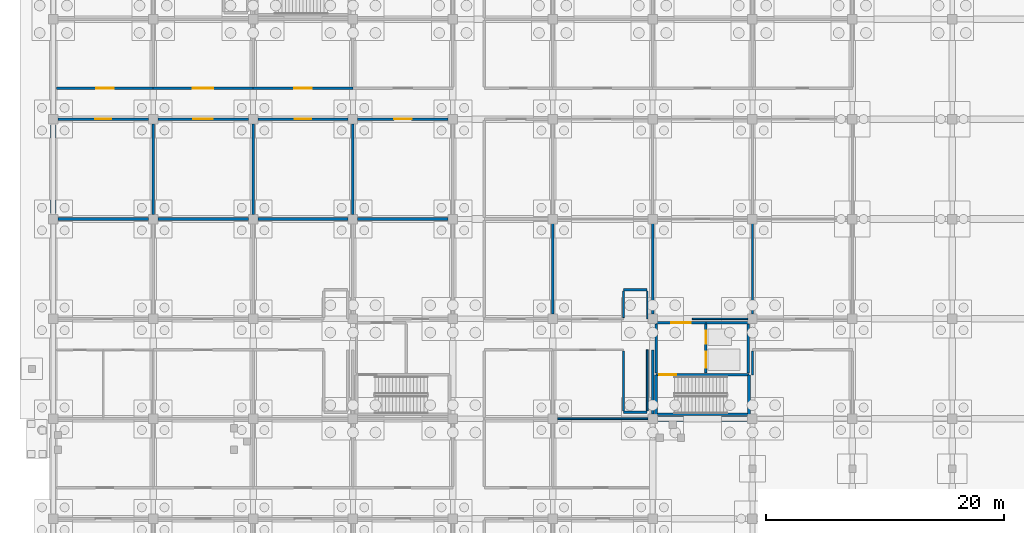
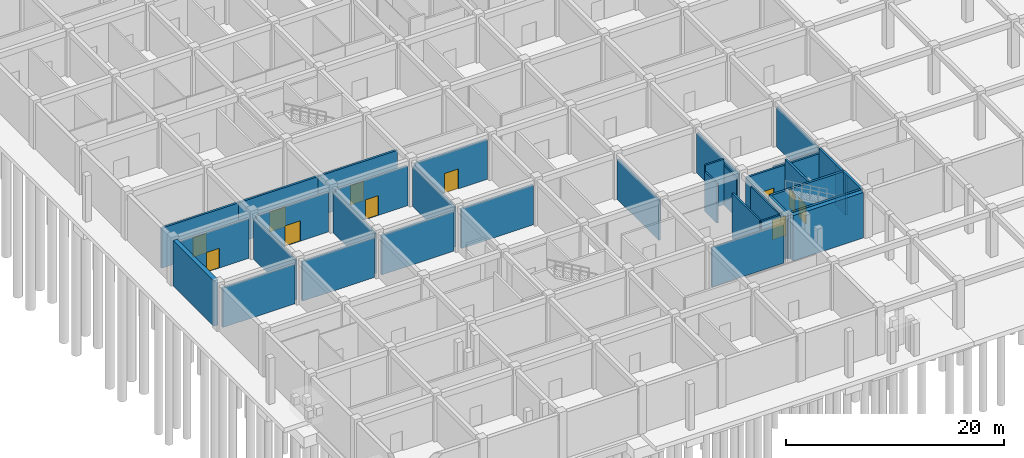
# One storey, part 29 of 65: 38 walls, 11 doors, 11 openings.
"""IFC4 building model written with IfcOpenShell, lengths in metres."""

from ifc_helpers import new_model, si_unit, direction, frame, frame_2d, origin, place, context, subcontext, project, spatial, rectangle, extrude, material, layer, layer_set, type_object, element, fill, save


model = new_model("IFC4")

# Units and contexts
model_context = context("Model", 3, precision=1e-05, world=origin(), true_north=direction((0.0, 1.0)))
body_context = subcontext(model_context, "Body", "Model", "MODEL_VIEW")
ifc_project = project(units=[si_unit("LENGTHUNIT", "METRE"), si_unit("AREAUNIT", "SQUARE_METRE"), si_unit("VOLUMEUNIT", "CUBIC_METRE"), si_unit("PLANEANGLEUNIT", "RADIAN"), si_unit("MASSUNIT", "GRAM", prefix="KILO")], contexts=[model_context])

# Site, building, storey
site_placement = place(None, origin())
site = spatial("IfcSite", under=ifc_project, at=site_placement, CompositionType="ELEMENT")
building_placement = place(site_placement, origin())
building = spatial("IfcBuilding", under=site, at=building_placement, Name="Bramfleet General Hospital", CompositionType="ELEMENT")
storey_placement = place(building_placement, frame((0.0, 0.0, -5.39990234375)))
storey = spatial("IfcBuildingStorey", under=building, at=storey_placement, Name="B1", CompositionType="ELEMENT", Elevation=-5.39990234375)

# Walls
ifc_material_1 = material(Name="Concrete C35/45", Category="concrete")
ifc_layer_1 = layer(ifc_material_1, 0.449951171875, Name="WT-EW-01")
ifc_layer_set_1 = layer_set([ifc_layer_1], Name="Concrete C35/45")
wall_type_1 = type_object("IfcWallType", Name="WT-EW-01", PredefinedType="SOLIDWALL", material=ifc_layer_set_1)
for number, where, z_axis, x_axis, name in (
    (1, (58.324951171875, 16.800048828125, 0.0), (0.0, 0.0, 1.0), (-1.0, 0.0, 0.0), "B1 Waterproof Retaining Wall 81"),
    (2, (0.0, 34.074951171875, 0.0), (0.0, 0.0, 1.0), (0.0, 1.0, 0.0), "B1 Waterproof Retaining Wall 94"),
):
    element("IfcWall", number, at=place(storey_placement, frame(where, z_axis=z_axis, x_axis=x_axis)), inside=storey, type_object=wall_type_1, Name=name, PredefinedType="SOLIDWALL", context=body_context, shape_type="SweptSolid", body=[
        extrude(rectangle(XDim=7.449951171875, YDim=0.449951171875, at=frame_2d((3.72509765625, 0.0))), origin(), (0.0, 0.0, 1.0), 5.079833984375),
    ])
ifc_layer_2 = layer(ifc_material_1, 0.219970703125, Name="WT-IW-01")
ifc_layer_set_2 = layer_set([ifc_layer_2], Name="Concrete C35/45")
wall_type_2 = type_object("IfcWallType", Name="WT-IW-01", PredefinedType="PARTITIONING", material=ifc_layer_set_2)
wall_1_placement = place(storey_placement, frame((0.39501953125, 33.60009765625, 0.0), z_axis=(0.0, 0.0, 1.0), x_axis=(1.0, 0.0, 0.0)))
element("IfcWall", 3, at=wall_1_placement, inside=storey, type_object=wall_type_2, Name="B1 Interior Partition IW-B1-0113", PredefinedType="PARTITIONING", context=body_context, shape_type="SweptSolid", body=[
    extrude(rectangle(XDim=7.60986328125, YDim=0.219970703125, at=frame_2d((3.804931640625, 0.0))), origin(), (0.0, 0.0, 1.0), 4.419921875),
])
wall_2_placement = place(storey_placement, frame((8.794921875, 33.60009765625, 0.0), z_axis=(0.0, 0.0, 1.0), x_axis=(1.0, 0.0, 0.0)))
element("IfcWall", 4, at=wall_2_placement, inside=storey, type_object=wall_type_2, Name="B1 Interior Partition IW-B1-0114", PredefinedType="PARTITIONING", context=body_context, shape_type="SweptSolid", body=[
    extrude(rectangle(XDim=7.610107421875, YDim=0.219970703125, at=frame_2d((3.80517578125, 0.0))), origin(), (0.0, 0.0, 1.0), 4.419921875),
])
wall_3_placement = place(storey_placement, frame((17.195068359375, 33.60009765625, 0.0), z_axis=(0.0, 0.0, 1.0), x_axis=(1.0, 0.0, 0.0)))
element("IfcWall", 5, at=wall_3_placement, inside=storey, type_object=wall_type_2, Name="B1 Interior Partition IW-B1-0115", PredefinedType="PARTITIONING", context=body_context, shape_type="SweptSolid", body=[
    extrude(rectangle(XDim=7.60986328125, YDim=0.219970703125, at=frame_2d((3.804931640625, 0.0))), origin(), (0.0, 0.0, 1.0), 4.419921875),
])
wall_4_placement = place(storey_placement, frame((25.594970703125, 33.60009765625, 0.0), z_axis=(0.0, 0.0, 1.0), x_axis=(1.0, 0.0, 0.0)))
element("IfcWall", 6, at=wall_4_placement, inside=storey, type_object=wall_type_2, Name="B1 Interior Partition IW-B1-0116", PredefinedType="PARTITIONING", context=body_context, shape_type="SweptSolid", body=[
    extrude(rectangle(XDim=7.610107421875, YDim=0.219970703125, at=frame_2d((3.80517578125, 0.0))), origin(), (0.0, 0.0, 1.0), 4.419921875),
])

# Wall, opening, door
wall_5_placement = place(storey_placement, frame((0.39501953125, 42.0, 0.0), z_axis=(0.0, 0.0, 1.0), x_axis=(1.0, 0.0, 0.0)))
wall_5 = element("IfcWall", 7, at=wall_5_placement, inside=storey, type_object=wall_type_2, Name="B1 Interior Partition IW-B1-0123", PredefinedType="PARTITIONING", context=body_context, shape_type="SweptSolid", body=[
    extrude(rectangle(XDim=7.60986328125, YDim=0.219970703125, at=frame_2d((3.804931640625, 0.0))), origin(), (0.0, 0.0, 1.0), 4.419921875),
])
opening_1_placement = place(wall_5_placement, frame((3.1298828125, 0.0, 0.0)))
opening_1 = element("IfcOpeningElement", 8, at=opening_1_placement, cuts=wall_5, Name="Opening D0194", PredefinedType="OPENING", context=body_context, shape_type="SweptSolid", body=[
    extrude(rectangle(XDim=1.35009765625, YDim=2.199951171875, at=frame_2d((0.675048828125, 1.10009765625))), frame((0.0, 0.119873046875, 0.0), z_axis=(0.0, -1.0, 0.0), x_axis=(1.0, 0.0, 0.0)), (0.0, 0.0, 1.0), 0.239990234375),
])
ifc_material_2 = material(Name="Stainless steel and acoustic timber leaf", Category="steel")
door_type_1 = type_object("IfcDoorType", Name="DR-D-02", OperationType="NOTDEFINED", PredefinedType="DOOR", material=ifc_material_2)
door_1_placement = place(opening_1_placement, origin())
door_1 = element("IfcDoor", 9, at=door_1_placement, inside=storey, type_object=door_type_1, Name="Standby Power Plant and Switchgear B1-0004 Door D0194", OperationType="SINGLE_SWING_LEFT", OverallHeight=2.199951171875, OverallWidth=1.35009765625, PredefinedType="DOOR", context=body_context, shape_type="SweptSolid", body=[
    extrude(rectangle(XDim=1.35009765625, YDim=2.199951171875, at=frame_2d((0.675048828125, 1.10009765625))), frame((0.0, 0.02490234375, 0.0), z_axis=(0.0, -1.0, 0.0), x_axis=(1.0, 0.0, 0.0)), (0.0, 0.0, 1.0), 0.050048828125),
])
fill(opening_1, door_1)

wall_6_placement = place(storey_placement, frame((8.794921875, 42.0, 0.0), z_axis=(0.0, 0.0, 1.0), x_axis=(1.0, 0.0, 0.0)))
wall_6 = element("IfcWall", 10, at=wall_6_placement, inside=storey, type_object=wall_type_2, Name="B1 Interior Partition IW-B1-0124", PredefinedType="PARTITIONING", context=body_context, shape_type="SweptSolid", body=[
    extrude(rectangle(XDim=7.610107421875, YDim=0.219970703125, at=frame_2d((3.80517578125, 0.0))), origin(), (0.0, 0.0, 1.0), 4.419921875),
])
opening_2_placement = place(wall_6_placement, frame((2.985107421875, 0.0, 0.0)))
opening_2 = element("IfcOpeningElement", 11, at=opening_2_placement, cuts=wall_6, Name="Opening D0210", PredefinedType="OPENING", context=body_context, shape_type="SweptSolid", body=[
    extrude(rectangle(XDim=1.639892578125, YDim=2.280029296875, at=frame_2d((0.81982421875, 1.14013671875))), frame((0.0, 0.119873046875, 0.0), z_axis=(0.0, -1.0, 0.0), x_axis=(1.0, 0.0, 0.0)), (0.0, 0.0, 1.0), 0.239990234375),
])
door_type_2 = type_object("IfcDoorType", Name="DR-D-18", OperationType="NOTDEFINED", PredefinedType="DOOR", material=ifc_material_2)
door_2_placement = place(opening_2_placement, origin())
door_2 = element("IfcDoor", 12, at=door_2_placement, inside=storey, type_object=door_type_2, Name="Standby Power Plant and Switchgear B1-0104 Door D0210", OperationType="DOUBLE_SWING_LEFT", OverallHeight=2.280029296875, OverallWidth=1.639892578125, PredefinedType="DOOR", context=body_context, shape_type="SweptSolid", body=[
    extrude(rectangle(XDim=1.639892578125, YDim=2.280029296875, at=frame_2d((0.81982421875, 1.14013671875))), frame((0.0, 0.02490234375, 0.0), z_axis=(0.0, -1.0, 0.0), x_axis=(1.0, 0.0, 0.0)), (0.0, 0.0, 1.0), 0.050048828125),
])
fill(opening_2, door_2)

wall_7_placement = place(storey_placement, frame((17.195068359375, 42.0, 0.0), z_axis=(0.0, 0.0, 1.0), x_axis=(1.0, 0.0, 0.0)))
wall_7 = element("IfcWall", 13, at=wall_7_placement, inside=storey, type_object=wall_type_2, Name="B1 Interior Partition IW-B1-0125", PredefinedType="PARTITIONING", context=body_context, shape_type="SweptSolid", body=[
    extrude(rectangle(XDim=7.60986328125, YDim=0.219970703125, at=frame_2d((3.804931640625, 0.0))), origin(), (0.0, 0.0, 1.0), 4.419921875),
])
opening_3_placement = place(wall_7_placement, frame((3.1298828125, 0.0, 0.0)))
opening_3 = element("IfcOpeningElement", 14, at=opening_3_placement, cuts=wall_7, Name="Opening D0226", PredefinedType="OPENING", context=body_context, shape_type="SweptSolid", body=[
    extrude(rectangle(XDim=1.35009765625, YDim=2.199951171875, at=frame_2d((0.675048828125, 1.10009765625))), frame((0.0, 0.119873046875, 0.0), z_axis=(0.0, -1.0, 0.0), x_axis=(1.0, 0.0, 0.0)), (0.0, 0.0, 1.0), 0.239990234375),
])
door_3_placement = place(opening_3_placement, origin())
door_3 = element("IfcDoor", 15, at=door_3_placement, inside=storey, type_object=door_type_1, Name="Standby Power Plant and Switchgear B1-0204 Door D0226", OperationType="SINGLE_SWING_LEFT", OverallHeight=2.199951171875, OverallWidth=1.35009765625, PredefinedType="DOOR", context=body_context, shape_type="SweptSolid", body=[
    extrude(rectangle(XDim=1.35009765625, YDim=2.199951171875, at=frame_2d((0.675048828125, 1.10009765625))), frame((0.0, 0.02490234375, 0.0), z_axis=(0.0, -1.0, 0.0), x_axis=(1.0, 0.0, 0.0)), (0.0, 0.0, 1.0), 0.050048828125),
])
fill(opening_3, door_3)

wall_8_placement = place(storey_placement, frame((25.594970703125, 42.0, 0.0), z_axis=(0.0, 0.0, 1.0), x_axis=(1.0, 0.0, 0.0)))
wall_8 = element("IfcWall", 16, at=wall_8_placement, inside=storey, type_object=wall_type_2, Name="B1 Interior Partition IW-B1-0126", PredefinedType="PARTITIONING", context=body_context, shape_type="SweptSolid", body=[
    extrude(rectangle(XDim=7.610107421875, YDim=0.219970703125, at=frame_2d((3.80517578125, 0.0))), origin(), (0.0, 0.0, 1.0), 4.419921875),
])
opening_4_placement = place(wall_8_placement, frame((3.06494140625, 0.0, 0.0)))
opening_4 = element("IfcOpeningElement", 17, at=opening_4_placement, cuts=wall_8, Name="Opening D0240", PredefinedType="OPENING", context=body_context, shape_type="SweptSolid", body=[
    extrude(rectangle(XDim=1.47998046875, YDim=2.219970703125, at=frame_2d((0.739990234375, 1.10986328125))), frame((0.0, 0.119873046875, 0.0), z_axis=(0.0, -1.0, 0.0), x_axis=(1.0, 0.0, 0.0)), (0.0, 0.0, 1.0), 0.239990234375),
])
door_type_3 = type_object("IfcDoorType", Name="DR-D-16", OperationType="NOTDEFINED", PredefinedType="DOOR", material=ifc_material_2)
door_4_placement = place(opening_4_placement, origin())
door_4 = element("IfcDoor", 18, at=door_4_placement, inside=storey, type_object=door_type_3, Name="Standby Power Plant and Switchgear B1-0304 Door D0240", OperationType="SINGLE_SWING_LEFT", OverallHeight=2.219970703125, OverallWidth=1.47998046875, PredefinedType="DOOR", context=body_context, shape_type="SweptSolid", body=[
    extrude(rectangle(XDim=1.47998046875, YDim=2.219970703125, at=frame_2d((0.739990234375, 1.10986328125))), frame((0.0, 0.02490234375, 0.0), z_axis=(0.0, -1.0, 0.0), x_axis=(1.0, 0.0, 0.0)), (0.0, 0.0, 1.0), 0.050048828125),
])
fill(opening_4, door_4)

wall_9_placement = place(storey_placement, frame((0.280029296875, 44.60009765625, 0.0), z_axis=(0.0, 0.0, 1.0), x_axis=(1.0, 0.0, 0.0)))
wall_9 = element("IfcWall", 19, at=wall_9_placement, inside=storey, type_object=wall_type_2, Name="B1 Interior Partition IW-B1-0133", PredefinedType="PARTITIONING", context=body_context, shape_type="SweptSolid", body=[
    extrude(rectangle(XDim=8.119873046875, YDim=0.219970703125, at=frame_2d((4.06005859375, 0.0))), origin(), (0.0, 0.0, 1.0), 4.469970703125),
])
opening_5_placement = place(wall_9_placement, frame((3.3349609375, 0.0, 0.0)))
opening_5 = element("IfcOpeningElement", 20, at=opening_5_placement, cuts=wall_9, Name="Opening D0195", PredefinedType="OPENING", context=body_context, shape_type="SweptSolid", body=[
    extrude(rectangle(XDim=1.449951171875, YDim=2.199951171875, at=frame_2d((0.72509765625, 1.10009765625))), frame((0.0, 0.119873046875, 0.0), z_axis=(0.0, -1.0, 0.0), x_axis=(1.0, 0.0, 0.0)), (0.0, 0.0, 1.0), 0.239990234375),
])
door_type_4 = type_object("IfcDoorType", Name="DR-D-03", OperationType="NOTDEFINED", PredefinedType="DOOR", material=ifc_material_2)
door_5_placement = place(opening_5_placement, origin())
door_5 = element("IfcDoor", 21, at=door_5_placement, inside=storey, type_object=door_type_4, Name="Central Sterile Supply Room B1-0005 Door D0195", OperationType="SINGLE_SWING_RIGHT", OverallHeight=2.199951171875, OverallWidth=1.449951171875, PredefinedType="DOOR", context=body_context, shape_type="SweptSolid", body=[
    extrude(rectangle(XDim=1.449951171875, YDim=2.199951171875, at=frame_2d((0.72509765625, 1.10009765625))), frame((0.0, 0.02490234375, 0.0), z_axis=(0.0, -1.0, 0.0), x_axis=(1.0, 0.0, 0.0)), (0.0, 0.0, 1.0), 0.050048828125),
])
fill(opening_5, door_5)

wall_10_placement = place(storey_placement, frame((8.39990234375, 44.60009765625, 0.0), z_axis=(0.0, 0.0, 1.0), x_axis=(1.0, 0.0, 0.0)))
wall_10 = element("IfcWall", 22, at=wall_10_placement, inside=storey, type_object=wall_type_2, Name="B1 Interior Partition IW-B1-0134", PredefinedType="PARTITIONING", context=body_context, shape_type="SweptSolid", body=[
    extrude(rectangle(XDim=8.400146484375, YDim=0.219970703125, at=frame_2d((4.2001953125, 0.0))), origin(), (0.0, 0.0, 1.0), 4.469970703125),
])
opening_6_placement = place(wall_10_placement, frame((3.330078125, 0.0, 0.0)))
opening_6 = element("IfcOpeningElement", 23, at=opening_6_placement, cuts=wall_10, Name="Opening D0211", PredefinedType="OPENING", context=body_context, shape_type="SweptSolid", body=[
    extrude(rectangle(XDim=1.739990234375, YDim=2.239990234375, at=frame_2d((0.8701171875, 1.1201171875))), frame((0.0, 0.119873046875, 0.0), z_axis=(0.0, -1.0, 0.0), x_axis=(1.0, 0.0, 0.0)), (0.0, 0.0, 1.0), 0.239990234375),
])
door_type_5 = type_object("IfcDoorType", Name="DR-D-19", OperationType="NOTDEFINED", PredefinedType="DOOR", material=ifc_material_2)
door_6_placement = place(opening_6_placement, origin())
door_6 = element("IfcDoor", 24, at=door_6_placement, inside=storey, type_object=door_type_5, Name="Central Sterile Supply Room B1-0105 Door D0211", OperationType="DOUBLE_SWING_RIGHT", OverallHeight=2.239990234375, OverallWidth=1.739990234375, PredefinedType="DOOR", context=body_context, shape_type="SweptSolid", body=[
    extrude(rectangle(XDim=1.739990234375, YDim=2.239990234375, at=frame_2d((0.8701171875, 1.1201171875))), frame((0.0, 0.02490234375, 0.0), z_axis=(0.0, -1.0, 0.0), x_axis=(1.0, 0.0, 0.0)), (0.0, 0.0, 1.0), 0.050048828125),
])
fill(opening_6, door_6)

wall_11_placement = place(storey_placement, frame((16.800048828125, 44.60009765625, 0.0), z_axis=(0.0, 0.0, 1.0), x_axis=(1.0, 0.0, 0.0)))
wall_11 = element("IfcWall", 25, at=wall_11_placement, inside=storey, type_object=wall_type_2, Name="B1 Interior Partition IW-B1-0135", PredefinedType="PARTITIONING", context=body_context, shape_type="SweptSolid", body=[
    extrude(rectangle(XDim=8.39990234375, YDim=0.219970703125, at=frame_2d((4.199951171875, 0.0))), origin(), (0.0, 0.0, 1.0), 4.469970703125),
])
opening_7_placement = place(wall_11_placement, frame((3.47509765625, 0.0, 0.0)))
opening_7 = element("IfcOpeningElement", 26, at=opening_7_placement, cuts=wall_11, Name="Opening D0227", PredefinedType="OPENING", context=body_context, shape_type="SweptSolid", body=[
    extrude(rectangle(XDim=1.449951171875, YDim=2.199951171875, at=frame_2d((0.72509765625, 1.10009765625))), frame((0.0, 0.119873046875, 0.0), z_axis=(0.0, -1.0, 0.0), x_axis=(1.0, 0.0, 0.0)), (0.0, 0.0, 1.0), 0.239990234375),
])
door_7_placement = place(opening_7_placement, origin())
door_7 = element("IfcDoor", 27, at=door_7_placement, inside=storey, type_object=door_type_4, Name="Central Sterile Supply Room B1-0205 Door D0227", OperationType="SINGLE_SWING_RIGHT", OverallHeight=2.199951171875, OverallWidth=1.449951171875, PredefinedType="DOOR", context=body_context, shape_type="SweptSolid", body=[
    extrude(rectangle(XDim=1.449951171875, YDim=2.199951171875, at=frame_2d((0.72509765625, 1.10009765625))), frame((0.0, 0.02490234375, 0.0), z_axis=(0.0, -1.0, 0.0), x_axis=(1.0, 0.0, 0.0)), (0.0, 0.0, 1.0), 0.050048828125),
])
fill(opening_7, door_7)

# Walls
for number, where, z_axis, x_axis, name in (
    (28, (8.39990234375, 33.9951171875, 0.0), (0.0, 0.0, 1.0), (0.0, 1.0, 0.0), "B1 Interior Partition IW-B1-0333"),
    (29, (16.800048828125, 33.9951171875, 0.0), (0.0, 0.0, 1.0), (0.0, 1.0, 0.0), "B1 Interior Partition IW-B1-0351"),
    (30, (25.199951171875, 33.9951171875, 0.0), (0.0, 0.0, 1.0), (0.0, 1.0, 0.0), "B1 Interior Partition IW-B1-0371"),
):
    element("IfcWall", number, at=place(storey_placement, frame(where, z_axis=z_axis, x_axis=x_axis)), inside=storey, type_object=wall_type_2, Name=name, PredefinedType="PARTITIONING", context=body_context, shape_type="SweptSolid", body=[
        extrude(rectangle(XDim=7.60986328125, YDim=0.219970703125, at=frame_2d((3.804931640625, 0.0))), origin(), (0.0, 0.0, 1.0), 4.469970703125),
    ])
wall_12_placement = place(storey_placement, frame((42.0, 25.594970703125, 0.0), z_axis=(0.0, 0.0, 1.0), x_axis=(0.0, 1.0, 0.0)))
element("IfcWall", 31, at=wall_12_placement, inside=storey, type_object=wall_type_2, Name="B1 Interior Partition IW-B1-0418", PredefinedType="PARTITIONING", context=body_context, shape_type="SweptSolid", body=[
    extrude(rectangle(XDim=7.610107421875, YDim=0.219970703125, at=frame_2d((3.80517578125, 0.0))), origin(), (0.0, 0.0, 1.0), 4.469970703125),
])
wall_13_placement = place(storey_placement, frame((50.39990234375, 17.195068359375, 0.0), z_axis=(0.0, 0.0, 1.0), x_axis=(0.0, 1.0, 0.0)))
element("IfcWall", 32, at=wall_13_placement, inside=storey, type_object=wall_type_2, Name="B1 Interior Partition IW-B1-0445", PredefinedType="PARTITIONING", context=body_context, shape_type="SweptSolid", body=[
    extrude(rectangle(XDim=5.405029296875, YDim=0.219970703125, at=frame_2d((2.70263671875, 0.0))), origin(), (0.0, 0.0, 1.0), 4.469970703125),
])

# Wall, openings, doors
ifc_layer_3 = layer(ifc_material_1, 0.205078125, Name="WT-IW-02")
ifc_layer_set_3 = layer_set([ifc_layer_3], Name="Concrete C35/45")
wall_type_3 = type_object("IfcWallType", Name="WT-IW-02", PredefinedType="PARTITIONING", material=ifc_layer_set_3)
wall_14_placement = place(storey_placement, frame((54.8798828125, 20.639892578125, 0.0), z_axis=(0.0, 0.0, 1.0), x_axis=(0.0, 1.0, 0.0)))
wall_14 = element("IfcWall", 33, at=wall_14_placement, inside=storey, type_object=wall_type_3, Name="B1 C1 Lobby East Shaft Wall", PredefinedType="PARTITIONING", context=body_context, shape_type="SweptSolid", body=[
    extrude(rectangle(XDim=4.1201171875, YDim=0.205078125, at=frame_2d((2.06005859375, 0.0))), origin(), (0.0, 0.0, 1.0), 5.06982421875),
])
opening_8_placement = place(wall_14_placement, frame((0.445068359375, 0.0, 0.0)))
opening_8 = element("IfcOpeningElement", 34, at=opening_8_placement, cuts=wall_14, Name="Opening LD-BL-02-B1", PredefinedType="OPENING", context=body_context, shape_type="SweptSolid", body=[
    extrude(rectangle(XDim=1.35009765625, YDim=2.199951171875, at=frame_2d((0.675048828125, 1.10009765625))), frame((0.0, 0.112548828125, 0.0), z_axis=(0.0, -1.0, 0.0), x_axis=(1.0, 0.0, 0.0)), (0.0, 0.0, 1.0), 0.22509765625),
])
opening_9_placement = place(wall_14_placement, frame((2.449951171875, 0.0, 0.0)))
opening_9 = element("IfcOpeningElement", 35, at=opening_9_placement, cuts=wall_14, Name="Opening LD-PL-01-B1", PredefinedType="OPENING", context=body_context, shape_type="SweptSolid", body=[
    extrude(rectangle(XDim=1.10009765625, YDim=2.14990234375, at=frame_2d((0.550048828125, 1.074951171875))), frame((0.0, 0.112548828125, 0.0), z_axis=(0.0, -1.0, 0.0), x_axis=(1.0, 0.0, 0.0)), (0.0, 0.0, 1.0), 0.22509765625),
])
ifc_material_3 = material(Name="Brushed stainless steel 1.4301", Category="steel")
door_type_6 = type_object("IfcDoorType", Name="DR-LD-01", OperationType="NOTDEFINED", PredefinedType="DOOR", material=ifc_material_3)
door_8_placement = place(opening_8_placement, origin())
door_8 = element("IfcDoor", 36, at=door_8_placement, inside=storey, type_object=door_type_6, Name="B1 Lift BL-02 Sliding Landing Door", OperationType="SLIDING_TO_LEFT", OverallHeight=2.199951171875, OverallWidth=1.35009765625, PredefinedType="DOOR", context=body_context, shape_type="SweptSolid", body=[
    extrude(rectangle(XDim=1.35009765625, YDim=2.199951171875, at=frame_2d((0.675048828125, 1.10009765625))), frame((0.0, 0.02490234375, 0.0), z_axis=(0.0, -1.0, 0.0), x_axis=(1.0, 0.0, 0.0)), (0.0, 0.0, 1.0), 0.050048828125),
])
fill(opening_8, door_8)
door_type_7 = type_object("IfcDoorType", Name="DR-LD-02", OperationType="NOTDEFINED", PredefinedType="DOOR", material=ifc_material_3)
door_9_placement = place(opening_9_placement, origin())
door_9 = element("IfcDoor", 37, at=door_9_placement, inside=storey, type_object=door_type_7, Name="B1 Lift PL-01 Sliding Landing Door", OperationType="SLIDING_TO_LEFT", OverallHeight=2.14990234375, OverallWidth=1.10009765625, PredefinedType="DOOR", context=body_context, shape_type="SweptSolid", body=[
    extrude(rectangle(XDim=1.10009765625, YDim=2.14990234375, at=frame_2d((0.550048828125, 1.074951171875))), frame((0.0, 0.02490234375, 0.0), z_axis=(0.0, -1.0, 0.0), x_axis=(1.0, 0.0, 0.0)), (0.0, 0.0, 1.0), 0.050048828125),
])
fill(opening_9, door_9)

# Walls
wall_15_placement = place(storey_placement, frame((58.449951171875, 20.639892578125, 0.0), z_axis=(0.0, 0.0, 1.0), x_axis=(0.0, 1.0, 0.0)))
element("IfcWall", 38, at=wall_15_placement, inside=storey, type_object=wall_type_3, Name="B1 C1 Lift Shaft East Wall", PredefinedType="PARTITIONING", context=body_context, shape_type="SweptSolid", body=[
    extrude(rectangle(XDim=4.1201171875, YDim=0.205078125, at=frame_2d((2.06005859375, 0.0))), origin(), (0.0, 0.0, 1.0), 5.06982421875),
])
wall_16_placement = place(storey_placement, frame((54.8798828125, 24.8798828125, 0.0), z_axis=(0.0, 0.0, 1.0), x_axis=(1.0, 0.0, 0.0)))
element("IfcWall", 39, at=wall_16_placement, inside=storey, type_object=wall_type_3, Name="B1 C1 Lift Shaft North Wall", PredefinedType="PARTITIONING", context=body_context, shape_type="SweptSolid", body=[
    extrude(rectangle(XDim=3.570068359375, YDim=0.205078125, at=frame_2d((1.78515625, 0.0))), origin(), (0.0, 0.0, 1.0), 4.419921875),
])
wall_17_placement = place(storey_placement, frame((50.699951171875, 20.639892578125, 0.0), z_axis=(0.0, 0.0, 1.0), x_axis=(0.0, 1.0, 0.0)))
element("IfcWall", 40, at=wall_17_placement, inside=storey, type_object=wall_type_3, Name="B1 C1 Lobby West Compartment Wall", PredefinedType="PARTITIONING", context=body_context, shape_type="SweptSolid", body=[
    extrude(rectangle(XDim=4.1201171875, YDim=0.205078125, at=frame_2d((2.06005859375, 0.0))), origin(), (0.0, 0.0, 1.0), 4.469970703125),
])

# Wall, opening, door
wall_18_placement = place(storey_placement, frame((50.699951171875, 24.8798828125, 0.0), z_axis=(0.0, 0.0, 1.0), x_axis=(1.0, 0.0, 0.0)))
wall_18 = element("IfcWall", 41, at=wall_18_placement, inside=storey, type_object=wall_type_3, Name="B1 C1 Lobby North Compartment Wall", PredefinedType="PARTITIONING", context=body_context, shape_type="SweptSolid", body=[
    extrude(rectangle(XDim=4.179931640625, YDim=0.205078125, at=frame_2d((2.08984375, 0.0))), origin(), (0.0, 0.0, 1.0), 4.419921875),
])
opening_10_placement = place(wall_18_placement, frame((1.2900390625, 0.0, 0.0)))
opening_10 = element("IfcOpeningElement", 42, at=opening_10_placement, cuts=wall_18, Name="Opening D0002", PredefinedType="OPENING", context=body_context, shape_type="SweptSolid", body=[
    extrude(rectangle(XDim=1.60009765625, YDim=2.25, at=frame_2d((0.800048828125, 1.125))), frame((0.0, 0.112548828125, 0.0), z_axis=(0.0, -1.0, 0.0), x_axis=(1.0, 0.0, 0.0)), (0.0, 0.0, 1.0), 0.22509765625),
])
door_type_8 = type_object("IfcDoorType", Name="DR-D-04", OperationType="NOTDEFINED", PredefinedType="DOOR", material=ifc_material_2)
door_10_placement = place(opening_10_placement, origin())
door_10 = element("IfcDoor", 43, at=door_10_placement, inside=storey, type_object=door_type_8, Name="B1 C1 Lobby Fire Door D0002", OperationType="DOUBLE_SWING_LEFT", OverallHeight=2.25, OverallWidth=1.60009765625, PredefinedType="DOOR", context=body_context, shape_type="SweptSolid", body=[
    extrude(rectangle(XDim=1.60009765625, YDim=2.25, at=frame_2d((0.800048828125, 1.125))), frame((0.0, 0.02490234375, 0.0), z_axis=(0.0, -1.0, 0.0), x_axis=(1.0, 0.0, 0.0)), (0.0, 0.0, 1.0), 0.050048828125),
])
fill(opening_10, door_10)

# Walls
wall_19_placement = place(storey_placement, frame((50.39990234375, 25.594970703125, 0.0), z_axis=(0.0, 0.0, 1.0), x_axis=(0.0, 1.0, 0.0)))
element("IfcWall", 44, at=wall_19_placement, inside=storey, type_object=wall_type_3, Name="B1 Interior Partition IW-B1-0446", PredefinedType="PARTITIONING", context=body_context, shape_type="SweptSolid", body=[
    extrude(rectangle(XDim=7.610107421875, YDim=0.205078125, at=frame_2d((3.80517578125, 0.0))), origin(), (0.0, 0.0, 1.0), 4.469970703125),
])
ifc_layer_4 = layer(ifc_material_1, 0.18994140625, Name="WT-IW-03")
ifc_layer_set_4 = layer_set([ifc_layer_4], Name="Concrete C35/45")
wall_type_4 = type_object("IfcWallType", Name="WT-IW-03", PredefinedType="PARTITIONING", material=ifc_layer_set_4)
wall_20_placement = place(storey_placement, frame((47.949951171875, 17.35009765625, 0.0), z_axis=(0.0, 0.0, 1.0), x_axis=(1.0, 0.0, 0.0)))
element("IfcWall", 45, at=wall_20_placement, inside=storey, type_object=wall_type_4, Name="B1 Interior Partition IW-B1-0075", PredefinedType="PARTITIONING", context=body_context, shape_type="SweptSolid", body=[
    extrude(rectangle(XDim=2.0, YDim=0.18994140625, at=frame_2d((1.0, 0.0))), origin(), (0.0, 0.0, 1.0), 5.06982421875),
])
ifc_layer_5 = layer(ifc_material_1, 0.179931640625, Name="WT-IW-04")
ifc_layer_set_5 = layer_set([ifc_layer_5], Name="Concrete C35/45")
wall_type_5 = type_object("IfcWallType", Name="WT-IW-04", PredefinedType="PARTITIONING", material=ifc_layer_set_5)
wall_21_placement = place(storey_placement, frame((47.949951171875, 27.64990234375, 0.0), z_axis=(0.0, 0.0, 1.0), x_axis=(1.0, 0.0, 0.0)))
element("IfcWall", 46, at=wall_21_placement, inside=storey, type_object=wall_type_5, Name="B1 Interior Partition IW-B1-0112", PredefinedType="PARTITIONING", context=body_context, shape_type="SweptSolid", body=[
    extrude(rectangle(XDim=2.0, YDim=0.179931640625, at=frame_2d((1.0, 0.0))), origin(), (0.0, 0.0, 1.0), 5.06982421875),
])
ifc_material_4 = material(Name="Gypsum plasterboard on acoustic steel studs", Category="steel")
ifc_layer_6 = layer(ifc_material_4, 0.169921875, Name="WT-IW-05")
ifc_layer_set_6 = layer_set([ifc_layer_6], Name="Gypsum plasterboard on acoustic steel studs")
wall_type_6 = type_object("IfcWallType", Name="WT-IW-05", PredefinedType="PARTITIONING", material=ifc_layer_set_6)
wall_22_placement = place(storey_placement, frame((47.949951171875, 17.465087890625, 0.0), z_axis=(0.0, 0.0, 1.0), x_axis=(0.0, 1.0, 0.0)))
element("IfcWall", 47, at=wall_22_placement, inside=storey, type_object=wall_type_6, Name="B1 Interior Partition IW-B1-0437", PredefinedType="PARTITIONING", context=body_context, shape_type="SweptSolid", body=[
    extrude(rectangle(XDim=5.02001953125, YDim=0.169921875, at=frame_2d((2.510009765625, 0.0))), origin(), (0.0, 0.0, 1.0), 5.06982421875),
])
wall_23_placement = place(storey_placement, frame((58.800048828125, 20.5, 0.0), z_axis=(0.0, 0.0, 1.0), x_axis=(0.0, 1.0, 0.0)))
element("IfcWall", 48, at=wall_23_placement, inside=storey, type_object=wall_type_6, Name="B1 Interior Partition IW-B1-0461", PredefinedType="PARTITIONING", context=body_context, shape_type="SweptSolid", body=[
    extrude(rectangle(XDim=1.985107421875, YDim=0.169921875, at=frame_2d((0.99267578125, 0.0))), origin(), (0.0, 0.0, 1.0), 4.469970703125),
])
ifc_layer_7 = layer(ifc_material_4, 0.159912109375, Name="WT-IW-06")
ifc_layer_set_7 = layer_set([ifc_layer_7], Name="Gypsum plasterboard on acoustic steel studs")
wall_type_7 = type_object("IfcWallType", Name="WT-IW-06", PredefinedType="PARTITIONING", material=ifc_layer_set_7)
wall_24_placement = place(storey_placement, frame((47.949951171875, 25.31494140625, 0.0), z_axis=(0.0, 0.0, 1.0), x_axis=(0.0, 1.0, 0.0)))
element("IfcWall", 49, at=wall_24_placement, inside=storey, type_object=wall_type_7, Name="B1 Interior Partition IW-B1-0438", PredefinedType="PARTITIONING", context=body_context, shape_type="SweptSolid", body=[
    extrude(rectangle(XDim=2.219970703125, YDim=0.159912109375, at=frame_2d((1.10986328125, 0.0))), origin(), (0.0, 0.0, 1.0), 4.419921875),
])
wall_25_placement = place(storey_placement, frame((58.800048828125, 25.594970703125, 0.0), z_axis=(0.0, 0.0, 1.0), x_axis=(0.0, 1.0, 0.0)))
element("IfcWall", 50, at=wall_25_placement, inside=storey, type_object=wall_type_7, Name="B1 Interior Partition IW-B1-0462", PredefinedType="PARTITIONING", context=body_context, shape_type="SweptSolid", body=[
    extrude(rectangle(XDim=7.610107421875, YDim=0.159912109375, at=frame_2d((3.80517578125, 0.0))), origin(), (0.0, 0.0, 1.0), 4.469970703125),
])
ifc_layer_8 = layer(ifc_material_4, 0.14990234375, Name="WT-IW-07")
ifc_layer_set_8 = layer_set([ifc_layer_8], Name="Gypsum plasterboard on acoustic steel studs")
wall_type_8 = type_object("IfcWallType", Name="WT-IW-07", PredefinedType="PARTITIONING", material=ifc_layer_set_8)
wall_26_placement = place(storey_placement, frame((42.39501953125, 16.800048828125, 0.0), z_axis=(0.0, 0.0, 1.0), x_axis=(1.0, 0.0, 0.0)))
element("IfcWall", 51, at=wall_26_placement, inside=storey, type_object=wall_type_8, Name="B1 Interior Partition IW-B1-0055", PredefinedType="PARTITIONING", context=body_context, shape_type="SweptSolid", body=[
    extrude(rectangle(XDim=7.60986328125, YDim=0.14990234375, at=frame_2d((3.804931640625, 0.0))), origin(), (0.0, 0.0, 1.0), 4.419921875),
])
ifc_layer_9 = layer(ifc_material_4, 0.1298828125, Name="WT-IW-09")
ifc_layer_set_9 = layer_set([ifc_layer_9], Name="Gypsum plasterboard on acoustic steel studs")
wall_type_9 = type_object("IfcWallType", Name="WT-IW-09", PredefinedType="PARTITIONING", material=ifc_layer_set_9)
wall_27_placement = place(storey_placement, frame((49.949951171875, 17.465087890625, 0.0), z_axis=(0.0, 0.0, 1.0), x_axis=(0.0, 1.0, 0.0)))
element("IfcWall", 52, at=wall_27_placement, inside=storey, type_object=wall_type_9, Name="B1 Interior Partition IW-B1-0441", PredefinedType="PARTITIONING", context=body_context, shape_type="SweptSolid", body=[
    extrude(rectangle(XDim=5.135009765625, YDim=0.1298828125, at=frame_2d((2.5673828125, 0.0))), origin(), (0.0, 0.0, 1.0), 5.06982421875),
])
ifc_layer_10 = layer(ifc_material_4, 0.1201171875, Name="WT-IW-10")
ifc_layer_set_10 = layer_set([ifc_layer_10], Name="Gypsum plasterboard on acoustic steel studs")
wall_type_10 = type_object("IfcWallType", Name="WT-IW-10", PredefinedType="PARTITIONING", material=ifc_layer_set_10)
wall_28_placement = place(storey_placement, frame((53.75, 25.199951171875, 0.0), z_axis=(0.0, 0.0, 1.0), x_axis=(1.0, 0.0, 0.0)))
element("IfcWall", 53, at=wall_28_placement, inside=storey, type_object=wall_type_10, Name="B1 Interior Partition IW-B1-0106", PredefinedType="PARTITIONING", context=body_context, shape_type="SweptSolid", body=[
    extrude(rectangle(XDim=4.655029296875, YDim=0.1201171875, at=frame_2d((2.32763671875, 0.0))), origin(), (0.0, 0.0, 1.0), 4.419921875),
])
wall_29_placement = place(storey_placement, frame((49.949951171875, 25.199951171875, 0.0), z_axis=(0.0, 0.0, 1.0), x_axis=(0.0, 1.0, 0.0)))
element("IfcWall", 54, at=wall_29_placement, inside=storey, type_object=wall_type_10, Name="B1 Interior Partition IW-B1-0442", PredefinedType="PARTITIONING", context=body_context, shape_type="SweptSolid", body=[
    extrude(rectangle(XDim=2.3349609375, YDim=0.1201171875, at=frame_2d((1.16748046875, 0.0))), origin(), (0.0, 0.0, 1.0), 4.419921875),
])
ifc_material_5 = material(Name="Concrete C40/50", Category="concrete")
ifc_layer_11 = layer(ifc_material_5, 0.239990234375, Name="WT-SW-240")
ifc_layer_set_11 = layer_set([ifc_layer_11], Name="Concrete C40/50")
wall_type_11 = type_object("IfcWallType", Name="WT-SW-240", PredefinedType="SHEAR", material=ifc_layer_set_11)
wall_30_placement = place(storey_placement, frame((50.699951171875, 17.179931640625, 0.0), z_axis=(0.0, 0.0, 1.0), x_axis=(1.0, 0.0, 0.0)))
element("IfcWall", 55, at=wall_30_placement, inside=storey, type_object=wall_type_11, Name="B1 C1 South Stair Shear Wall", PredefinedType="SHEAR", context=body_context, shape_type="SweptSolid", body=[
    extrude(rectangle(XDim=7.820068359375, YDim=0.239990234375, at=frame_2d((3.91015625, 0.0))), origin(), (0.0, 0.0, 1.0), 5.079833984375),
])
for number, where, z_axis, x_axis, name in (
    (56, (50.699951171875, 17.179931640625, 0.0), (0.0, 0.0, 1.0), (0.0, 1.0, 0.0), "B1 C1 West Stair Shear Wall"),
    (57, (58.52001953125, 17.179931640625, 0.0), (0.0, 0.0, 1.0), (0.0, 1.0, 0.0), "B1 C1 East Stair Shear Wall"),
):
    element("IfcWall", number, at=place(storey_placement, frame(where, z_axis=z_axis, x_axis=x_axis)), inside=storey, type_object=wall_type_11, Name=name, PredefinedType="SHEAR", context=body_context, shape_type="SweptSolid", body=[
        extrude(rectangle(XDim=3.320068359375, YDim=0.239990234375, at=frame_2d((1.66015625, 0.0))), origin(), (0.0, 0.0, 1.0), 5.079833984375),
    ])

# Wall, opening, door
wall_31_placement = place(storey_placement, frame((50.699951171875, 20.5, 0.0), z_axis=(0.0, 0.0, 1.0), x_axis=(1.0, 0.0, 0.0)))
wall_31 = element("IfcWall", 58, at=wall_31_placement, inside=storey, type_object=wall_type_11, Name="B1 C1 Stair-Lobby Shear Wall", PredefinedType="SHEAR", context=body_context, shape_type="SweptSolid", body=[
    extrude(rectangle(XDim=7.820068359375, YDim=0.239990234375, at=frame_2d((3.91015625, 0.0))), origin(), (0.0, 0.0, 1.0), 5.079833984375),
])
opening_11_placement = place(wall_31_placement, frame((0.25, 0.0, 0.0)))
opening_11 = element("IfcOpeningElement", 59, at=opening_11_placement, cuts=wall_31, Name="Opening D0001", PredefinedType="OPENING", context=body_context, shape_type="SweptSolid", body=[
    extrude(rectangle(XDim=1.449951171875, YDim=2.199951171875, at=frame_2d((0.72509765625, 1.10009765625))), frame((0.0, 0.1298828125, 0.0), z_axis=(0.0, -1.0, 0.0), x_axis=(1.0, 0.0, 0.0)), (0.0, 0.0, 1.0), 0.260009765625),
])
door_11_placement = place(opening_11_placement, origin())
door_11 = element("IfcDoor", 60, at=door_11_placement, inside=storey, type_object=door_type_4, Name="B1 C1 Escape Stair Fire Door D0001", OperationType="SINGLE_SWING_RIGHT", OverallHeight=2.199951171875, OverallWidth=1.449951171875, PredefinedType="DOOR", context=body_context, shape_type="SweptSolid", body=[
    extrude(rectangle(XDim=1.449951171875, YDim=2.199951171875, at=frame_2d((0.72509765625, 1.10009765625))), frame((0.0, 0.02490234375, 0.0), z_axis=(0.0, -1.0, 0.0), x_axis=(1.0, 0.0, 0.0)), (0.0, 0.0, 1.0), 0.050048828125),
])
fill(opening_11, door_11)

save(model, "model.ifc")
